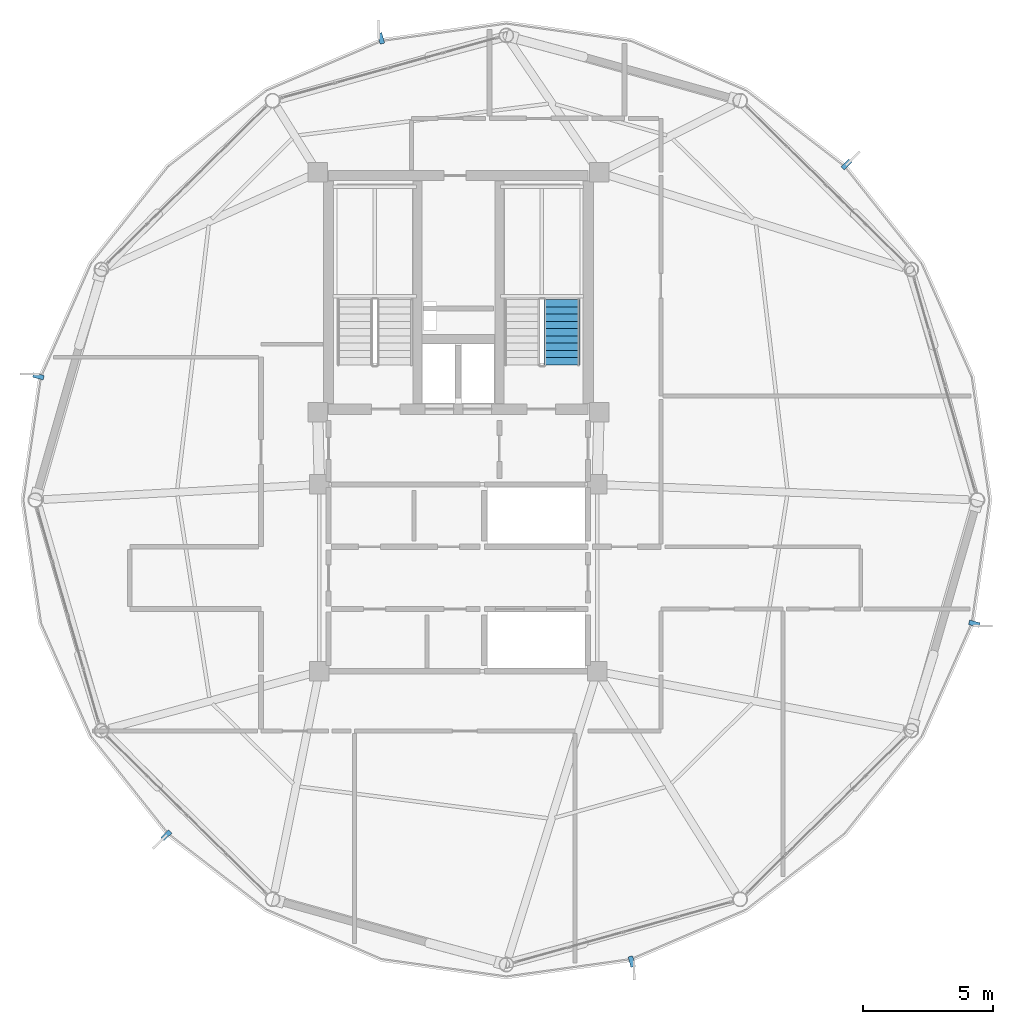
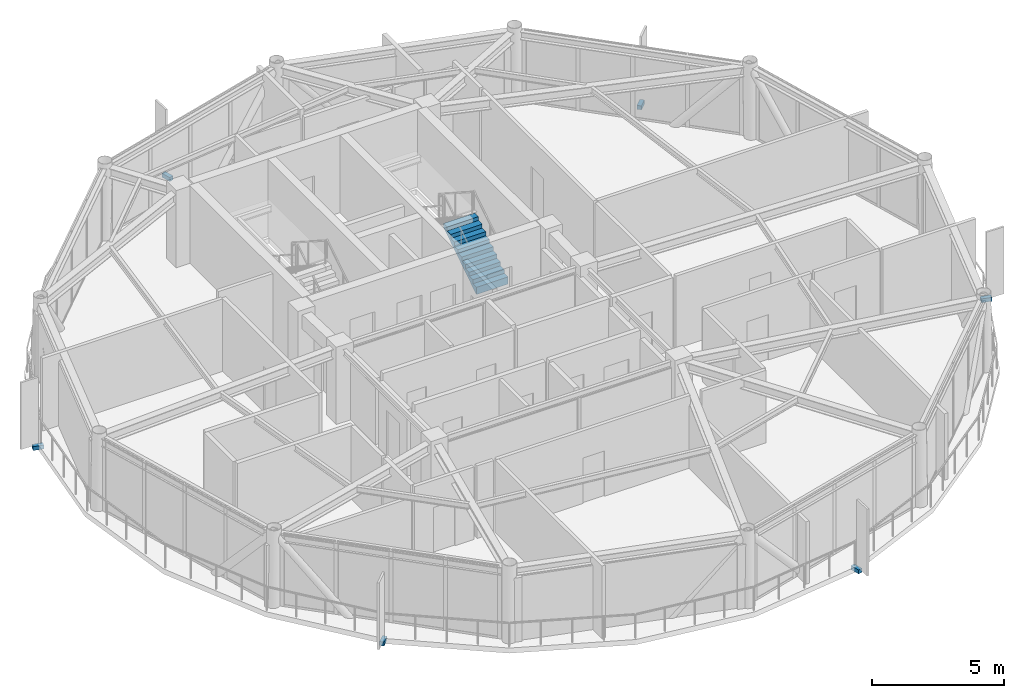
# One storey, part 23 of 26: 6 discrete accessories, 1 stair flight, 1 element without a shape of its own.
"""IFC4 building model written with IfcOpenShell, lengths in metres."""

from ifc_helpers import new_model, si_unit, direction, frame, origin, origin_2d, place, context, subcontext, project, spatial, polyline, rectangle, outline, extrude, source, transform, mapped, material, type_object, type_shapes, element, aggregate, save


model = new_model("IFC4")

# Units and contexts
model_context = context("Model", 3, precision=1e-05, world=origin(), true_north=direction((0.0, 1.0)))
body_context = subcontext(model_context, "Body", "Model", "MODEL_VIEW")
ifc_project = project(units=[si_unit("LENGTHUNIT", "METRE"), si_unit("AREAUNIT", "SQUARE_METRE"), si_unit("VOLUMEUNIT", "CUBIC_METRE"), si_unit("PLANEANGLEUNIT", "RADIAN"), si_unit("MASSUNIT", "GRAM", prefix="KILO")], contexts=[model_context])

# Site, building, storey
site_placement = place(None, origin())
site = spatial("IfcSite", under=ifc_project, at=site_placement, CompositionType="ELEMENT")
building_placement = place(site_placement, origin())
building = spatial("IfcBuilding", under=site, at=building_placement, Name="Varnakorn Sky Granary", CompositionType="ELEMENT")
storey_placement = place(building_placement, frame((0.0, 0.0, 267.0)))
storey = spatial("IfcBuildingStorey", under=building, at=storey_placement, Name="L68", CompositionType="ELEMENT", Elevation=267.0)

# Stair, stair flight
ifc_material_1 = material(Name="Concrete C40/50", Category="concrete")
stair_type = type_object("IfcStairType", Name="ST-MAIN-ASSEMBLY", PredefinedType="HALF_TURN_STAIR", material=ifc_material_1)
stair_placement = place(storey_placement, origin())
stair = element("IfcStair", 1, at=stair_placement, inside=storey, type_object=stair_type, Name="L68 Protected Exit Stair ST-2", PredefinedType="HALF_TURN_STAIR")
stair_flight_type = type_object("IfcStairFlightType", Name="ST-MAIN-FLIGHT", PredefinedType="STRAIGHT", material=ifc_material_1)
stair_flight_placement = place(storey_placement, frame((6.989990234375, 5.199951171875, 0.0), z_axis=(0.0, 0.0, 1.0), x_axis=(0.0, 1.0, 0.0)))
stair_flight = element("IfcStairFlight", 2, at=stair_flight_placement, type_object=stair_flight_type, Name="ST-2 flight 1", NumberOfRisers=10, NumberOfTreads=9, PredefinedType="STRAIGHT", RiserHeight=0.18, TreadLength=0.28, context=body_context, shape_type="SweptSolid", body=[
    extrude(outline(polyline([(0.0, -0.14990234375), (0.0, 0.0), (0.0, 0.179931640625), (0.280029296875, 0.179931640625), (0.280029296875, 0.360107421875), (0.56005859375, 0.360107421875), (0.56005859375, 0.5400390625), (0.840087890625, 0.5400390625), (0.840087890625, 0.719970703125), (1.1201171875, 0.719970703125), (1.1201171875, 0.89990234375), (1.39990234375, 0.89990234375), (1.39990234375, 1.080078125), (1.679931640625, 1.080078125), (1.679931640625, 1.260009765625), (1.9599609375, 1.260009765625), (1.9599609375, 1.43994140625), (2.239990234375, 1.43994140625), (2.239990234375, 1.6201171875), (2.52001953125, 1.6201171875), (2.52001953125, 1.800048828125), (2.52001953125, 1.44189453125), (0.050048828125, -0.14990234375), (0.0, -0.14990234375)])), frame((0.0, 0.68994140625, 0.0), z_axis=(0.0, -1.0, 0.0), x_axis=(1.0, 0.0, 0.0)), (0.0, 0.0, 1.0), 1.3798828125),
])
aggregate(stair, [stair_flight])

# Discrete accessories
ifc_material_2 = material(Name="Steel S355JR", Category="steel")
discrete_accessory_type = type_object("IfcDiscreteAccessoryType", Name="AC-BRK-01", PredefinedType="BRACKET", material=ifc_material_2)
shared_shape = source(origin(), body_context, "Body", "SweptSolid", [
    extrude(rectangle(XDim=0.179931640625, YDim=0.419921875, at=origin_2d()), origin(), (0.0, 0.0, 1.0), 0.179931640625),
])
type_shapes(discrete_accessory_type, [shared_shape])
for number, where, z_axis, x_axis, name in (
    (3, (17.950439453125, 12.92041015625, -0.2001953125), (0.0, 0.0, 1.0), (-0.702196503538, 0.711983195321, 0.0), "Facade Solar-Screen Outrigger Bracket L68-02"),
    (4, (0.019775390625, 17.78076171875, -0.2001953125), (0.0, 0.0, 1.0), (-0.965025438341, -0.262156257515, 0.0), "Facade Solar-Screen Outrigger Bracket L68-04"),
    (5, (-13.17529296875, 4.763916015625, -0.2001953125), (0.0, 0.0, 1.0), (-0.255520704611, -0.966803583731, 0.0), "Facade Solar-Screen Outrigger Bracket L68-06"),
    (6, (-8.25048828125, -12.92041015625, -0.2001953125), (0.0, 0.0, 1.0), (0.702196503538, -0.711983195321, 0.0), "Facade Solar-Screen Outrigger Bracket L68-08"),
    (7, (9.680419921875, -17.78076171875, -0.2001953125), (0.0, 0.0, 1.0), (0.965025438341, 0.262156257515, 0.0), "Facade Solar-Screen Outrigger Bracket L68-10"),
    (8, (22.875244140625, -4.763916015625, -0.2001953125), (0.0, 0.0, 1.0), (0.255520704611, 0.966803583731, 0.0), "Facade Solar-Screen Outrigger Bracket L68-12"),
):
    element("IfcDiscreteAccessory", number, at=place(storey_placement, frame(where, z_axis=z_axis, x_axis=x_axis)), inside=storey, type_object=discrete_accessory_type, Name=name, PredefinedType="BRACKET", context=body_context, shape_type="MappedRepresentation", body=[
        mapped(shared_shape, transform((0.0, 0.0, 0.0), x_axis=(1.0, 0.0, 0.0), y_axis=(0.0, 1.0, 0.0), z_axis=(0.0, 0.0, 1.0), scale=1.0)),
    ])

save(model, "model.ifc")
